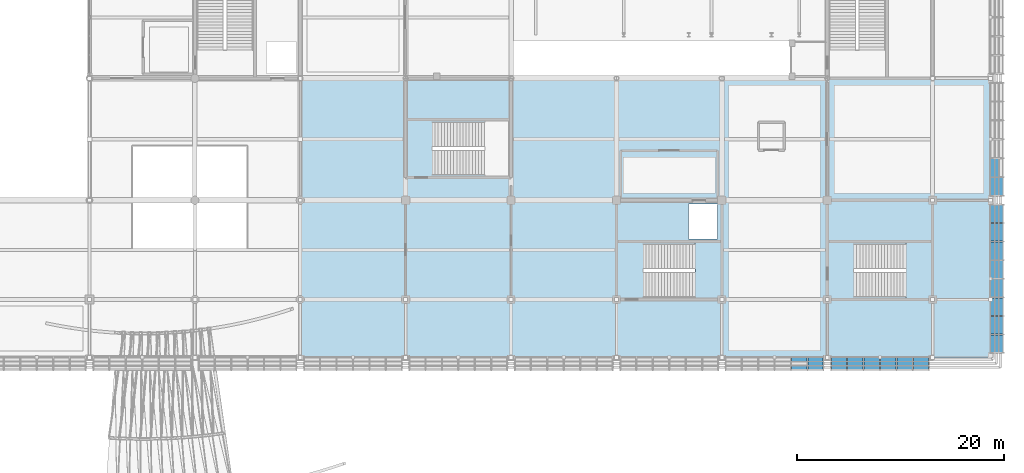
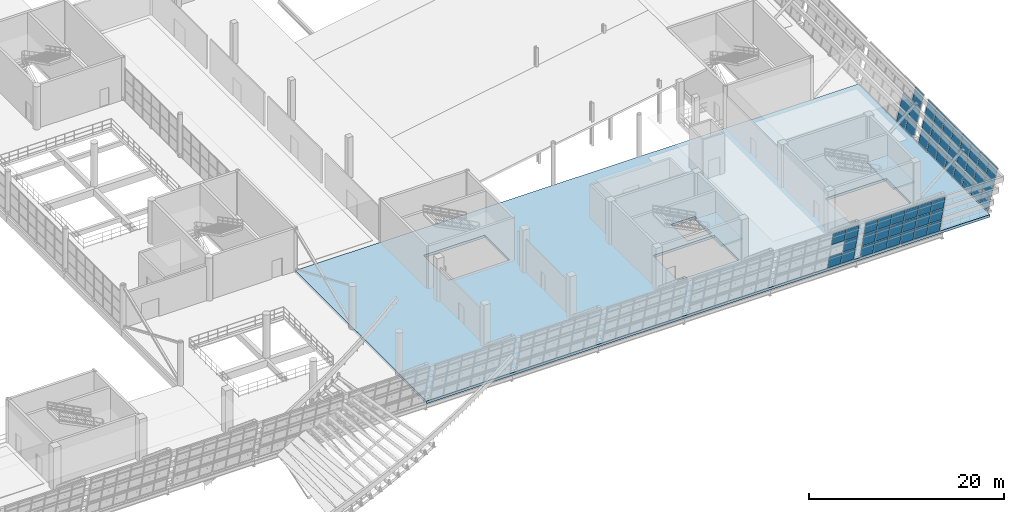
# One storey, part 115 of 175: 52 plates, 3 slabs, 6 elements without a shape of their own.
"""IFC4 building model written with IfcOpenShell, lengths in metres."""

import ifcopenshell
import ifcopenshell.guid

model = None  # the IFC model being written
_history = None  # IfcOwnerHistory: only IFC2X3 demands one
_inside = {}  # id of a spatial element -> (the spatial element, [elements in it])
_under = {}  # id of a project, library or spatial element -> (it, [spatial elements below it])
_declared = {}  # id of a project -> (the project, [libraries it declares])
_typed = {}  # id of a type object -> (the type object, [elements of that type])
_made_of = {}  # id of a material, layer set ... -> (it, [elements and type objects made of it])


def new_model(schema):
    """Start an empty IFC model of exactly this schema.

    Asked for "IFC4X3", IfcOpenShell would pick the latest addendum, in which some entities
    have other attributes; the version numbers below select the first issue.
    IFC2X3 requires an IfcOwnerHistory on every rooted entity: one is made here for all.
    """
    global model, _history
    if schema == "IFC4X3":
        model = ifcopenshell.file(schema_version=(4, 3, 0, 0))
    else:
        model = ifcopenshell.file(schema=schema)
    _inside.clear()
    _under.clear()
    _declared.clear()
    _typed.clear()
    _made_of.clear()
    _history = None
    if model.schema == "IFC2X3":
        org = make("IfcOrganization", Name="unknown")
        user = make(
            "IfcPersonAndOrganization",
            ThePerson=make("IfcPerson", FamilyName="unknown"),
            TheOrganization=org,
        )
        app = make(
            "IfcApplication",
            ApplicationDeveloper=org,
            Version="unknown",
            ApplicationFullName="unknown",
            ApplicationIdentifier="unknown",
        )
        _history = make(
            "IfcOwnerHistory",
            OwningUser=user,
            OwningApplication=app,
            ChangeAction="ADDED",
            CreationDate=0,
        )
    return model


def make(cls, **values):
    """One entity of the class cls with the attributes given. An attribute that is None is left unset."""
    return model.create_entity(
        cls, **{name: value for name, value in values.items() if value is not None}
    )


def rooted(cls, **values):
    """An entity with a GlobalId (a new one), such as an element, a storey or a relation."""
    return make(cls, GlobalId=ifcopenshell.guid.new(), OwnerHistory=_history, **values)


def si_unit(unit_type, name, prefix=None):
    """IfcSIUnit, for example si_unit("LENGTHUNIT", "METRE", prefix="MILLI")."""
    return make("IfcSIUnit", UnitType=unit_type, Prefix=prefix, Name=name)


def assignment(units):
    """IfcUnitAssignment: the units of a project."""
    return None if units is None else make("IfcUnitAssignment", Units=units)


def point(xyz):
    """IfcCartesianPoint."""
    return None if xyz is None else make("IfcCartesianPoint", Coordinates=xyz)


def direction(xyz):
    """IfcDirection."""
    return None if xyz is None else make("IfcDirection", DirectionRatios=xyz)


def frame(location, z_axis=None, x_axis=None):
    """IfcAxis2Placement3D, a coordinate frame: its origin and axes. An axis left out is left unset."""
    return make(
        "IfcAxis2Placement3D",
        Location=point(location),
        Axis=direction(z_axis),
        RefDirection=direction(x_axis),
    )


def origin():
    """The frame at (0, 0, 0) with its axes left unset."""
    return frame((0.0, 0.0, 0.0))


def place(relative_to, where):
    """IfcLocalPlacement: puts the frame where relative to a parent placement (None: the world)."""
    return make(
        "IfcLocalPlacement", PlacementRelTo=relative_to, RelativePlacement=where
    )


def context(
    kind, dimensions, precision=None, world=None, true_north=None, identifier=None
):
    """IfcGeometricRepresentationContext, for example the 3D "Model" context."""
    return make(
        "IfcGeometricRepresentationContext",
        ContextIdentifier=identifier,
        ContextType=kind,
        CoordinateSpaceDimension=dimensions,
        Precision=precision,
        WorldCoordinateSystem=world,
        TrueNorth=true_north,
    )


def subcontext(parent, identifier, kind, view, scale=None):
    """IfcGeometricRepresentationSubContext, for example "Body" below "Model"."""
    return make(
        "IfcGeometricRepresentationSubContext",
        ContextIdentifier=identifier,
        ContextType=kind,
        ParentContext=parent,
        TargetScale=scale,
        TargetView=view,
    )


def project(units=None, contexts=None):
    """IfcProject with its units and contexts."""
    return rooted(
        "IfcProject",
        Name="project",
        RepresentationContexts=contexts,
        UnitsInContext=assignment(units),
    )


def spatial(cls, under=None, at=None, **own):
    """A site, building, storey or space (cls), placed at a placement, below another one or the project."""
    s = rooted(cls, ObjectPlacement=at, **own)
    if under is not None:
        _under.setdefault(under.id(), (under, []))[1].append(s)
    return s


def polyline(points):
    """IfcPolyline through the points."""
    return make("IfcPolyline", Points=[point(p) for p in points])


def outline(outer, holes=None, kind="AREA"):
    """IfcArbitraryClosedProfileDef: a profile drawn as a closed curve; with holes, ...WithVoids."""
    if holes is None:
        return make("IfcArbitraryClosedProfileDef", ProfileType=kind, OuterCurve=outer)
    return make(
        "IfcArbitraryProfileDefWithVoids",
        ProfileType=kind,
        OuterCurve=outer,
        InnerCurves=holes,
    )


def extrude(swept, where, along, depth):
    """IfcExtrudedAreaSolid: the profile swept, set in the frame where, extruded along a direction by depth."""
    return make(
        "IfcExtrudedAreaSolid",
        SweptArea=swept,
        Position=where,
        ExtrudedDirection=direction(along),
        Depth=depth,
    )


def shape(context_of_items, identifier, shape_type, items):
    """IfcShapeRepresentation: the items that make up one representation, for example the "Body"."""
    return make(
        "IfcShapeRepresentation",
        ContextOfItems=context_of_items,
        RepresentationIdentifier=identifier,
        RepresentationType=shape_type,
        Items=items,
    )


def material(Name=None, Category=None):
    """IfcMaterial."""
    return make("IfcMaterial", Name=Name, Category=Category)


def layer(
    of_material, thickness, ventilated=None, Name=None, Category=None, Priority=None
):
    """IfcMaterialLayer: one layer of a wall or slab, of a material (None: an air gap)."""
    return make(
        "IfcMaterialLayer",
        Material=of_material,
        LayerThickness=thickness,
        IsVentilated=ventilated,
        Name=Name,
        Category=Category,
        Priority=Priority,
    )


def layer_set(layers, Name=None):
    """IfcMaterialLayerSet."""
    return make("IfcMaterialLayerSet", MaterialLayers=layers, LayerSetName=Name)


def made_of(thing, what):
    """Note that an element or type object is made of a material, layer set ...; save() writes the relation."""
    if what is not None:
        _made_of.setdefault(what.id(), (what, []))[1].append(thing)
    return thing


def type_object(cls, material=None, **own):
    """A type object (cls), such as IfcWallType, which elements share."""
    return made_of(rooted(cls, **own), material)


def element(
    cls,
    number,
    at=None,
    inside=None,
    cuts=None,
    type_object=None,
    material=None,
    context=None,
    identifier="Body",
    shape_type=None,
    held_by="IfcProductDefinitionShape",
    body=None,
    shapes=None,
    **own,
):
    """One element of the class cls, such as IfcWall. Its Tag is "e" and its number.

    at: its placement. inside: the storey or other place that contains it. cuts: it is an
    opening in that element (IfcRelVoidsElement). A single representation is given by context,
    identifier, shape_type and body (its items); several are given by shapes. held_by: the class
    of the entity that holds the representations. save() writes the other relations.
    """
    e = rooted(cls, Tag="e%d" % number, ObjectPlacement=at, **own)
    if body is not None:
        shapes = [shape(context, identifier, shape_type, body)]
    if shapes is not None:
        e.Representation = make(held_by, Representations=shapes)
    if inside is not None:
        _inside.setdefault(inside.id(), (inside, []))[1].append(e)
    if cuts is not None:
        rooted(
            "IfcRelVoidsElement", RelatingBuildingElement=cuts, RelatedOpeningElement=e
        )
    if type_object is not None:
        _typed.setdefault(type_object.id(), (type_object, []))[1].append(e)
    return made_of(e, material)


def aggregate(whole, parts):
    """IfcRelAggregates: a whole, such as a stair, and the parts it consists of."""
    return rooted("IfcRelAggregates", RelatingObject=whole, RelatedObjects=parts)


def save(model, path):
    """Write the relations noted so far, then the file.

    IfcRelAggregates (storeys below a building ...), IfcRelContainedInSpatialStructure (elements
    in a storey), IfcRelDefinesByType, IfcRelAssociatesMaterial and IfcRelDeclares: one each for
    every whole, place, type object, material and project.
    """
    for whole, parts in _under.values():
        aggregate(whole, parts)
    for where, things in _inside.values():
        rooted(
            "IfcRelContainedInSpatialStructure",
            RelatedElements=things,
            RelatingStructure=where,
        )
    for kind, things in _typed.values():
        rooted("IfcRelDefinesByType", RelatedObjects=things, RelatingType=kind)
    for what, things in _made_of.values():
        rooted("IfcRelAssociatesMaterial", RelatedObjects=things, RelatingMaterial=what)
    for by, libraries in _declared.values():
        rooted("IfcRelDeclares", RelatingContext=by, RelatedDefinitions=libraries)
    model.write(path)


model = new_model("IFC4")

# Units and contexts
model_context = context("Model", 3, precision=1e-05, world=origin(), true_north=direction((0.0, 1.0)))
body_context = subcontext(model_context, "Body", "Model", "MODEL_VIEW")
ifc_project = project(units=[si_unit("LENGTHUNIT", "METRE"), si_unit("AREAUNIT", "SQUARE_METRE"), si_unit("VOLUMEUNIT", "CUBIC_METRE"), si_unit("PLANEANGLEUNIT", "RADIAN"), si_unit("MASSUNIT", "GRAM", prefix="KILO")], contexts=[model_context])

# Site, building, storey
site_placement = place(None, origin())
site = spatial("IfcSite", under=ifc_project, at=site_placement, CompositionType="ELEMENT")
building_placement = place(site_placement, origin())
building = spatial("IfcBuilding", under=site, at=building_placement, Name="Brelvane Convention Centre", CompositionType="ELEMENT")
storey_placement = place(building_placement, frame((0.0, 0.0, 5.39990234375)))
storey = spatial("IfcBuildingStorey", under=building, at=storey_placement, Name="L01", CompositionType="ELEMENT", Elevation=5.39990234375)

# Curtain wall, plates
ifc_material_1 = material(Name="Anodised Aluminium Alloy 6063-T6", Category="aluminium")
curtain_wall_type_1 = type_object("IfcCurtainWallType", Name="Curtain Wall CW-HULL-S", PredefinedType="USERDEFINED", material=ifc_material_1)
curtain_wall_1_placement = place(storey_placement, origin())
curtain_wall_1 = element("IfcCurtainWall", 1, at=curtain_wall_1_placement, inside=storey, type_object=curtain_wall_type_1, Name="Curtain Wall CW-HULL-S L01-HULL-S-L01-21", ObjectType="UNITISED", PredefinedType="USERDEFINED")
ifc_material_2 = material(Name="Double Glazed Low-E Laminated Unit")
ifc_layer_1 = layer(ifc_material_2, 0.031982421875)
ifc_layer_set_1 = layer_set([ifc_layer_1], Name="Double Glazed Low-E Laminated Unit")
plate_type_1 = type_object("IfcPlateType", Name="Curtain Panel CW-PG1", PredefinedType="CURTAIN_PANEL", material=ifc_layer_set_1)
plate_1_placement = place(storey_placement, frame((210.7333984375, 12.785400390625, 3.473388671875), z_axis=(0.0, 0.973577021422, 0.228358891569), x_axis=(1.0, 0.0, 0.0)))
plate_1 = element("IfcPlate", 2, at=plate_1_placement, type_object=plate_type_1, Name="CW-HULL-S panel 5.3", PredefinedType="CURTAIN_PANEL", context=body_context, shape_type="SweptSolid", body=[
    extrude(outline(polyline([(0.0, 0.0), (1.51318359375, 0.0), (1.51318359375, -1.640013735294975), (0.0, -1.640013735294975), (0.0, 0.0)])), origin(), (0.0, 0.0, -1.0), 0.031982421875),
])
plate_2_placement = place(storey_placement, frame((212.32666015625, 13.18798828125, 1.7568359375), z_axis=(0.0, 0.973584535906, 0.228326852222), x_axis=(1.0, 0.0, 0.0)))
plate_2 = element("IfcPlate", 3, at=plate_2_placement, type_object=plate_type_1, Name="CW-HULL-S panel 6.2", PredefinedType="CURTAIN_PANEL", context=body_context, shape_type="SweptSolid", body=[
    extrude(outline(polyline([(0.0, 0.0), (1.473388671875, 0.0), (1.473388671875, -1.680875721647406), (0.0, -1.680875721647406), (0.0, 0.0)])), origin(), (0.0, 0.0, -1.0), 0.031982421875),
])
plate_3_placement = place(storey_placement, frame((212.32666015625, 12.785400390625, 3.473388671875), z_axis=(0.0, 0.973577021422, 0.228358891569), x_axis=(1.0, 0.0, 0.0)))
plate_3 = element("IfcPlate", 4, at=plate_3_placement, type_object=plate_type_1, Name="CW-HULL-S panel 6.3", PredefinedType="CURTAIN_PANEL", context=body_context, shape_type="SweptSolid", body=[
    extrude(outline(polyline([(0.0, 0.0), (1.473388671875, 0.0), (1.473388671875, -1.640013735294975), (0.0, -1.640013735294975), (0.0, 0.0)])), origin(), (0.0, 0.0, -1.0), 0.031982421875),
])

curtain_wall_2_placement = place(storey_placement, origin())
curtain_wall_2 = element("IfcCurtainWall", 5, at=curtain_wall_2_placement, inside=storey, type_object=curtain_wall_type_1, Name="Curtain Wall CW-HULL-S L01-HULL-S-L01-22", ObjectType="UNITISED", PredefinedType="USERDEFINED")
plate_4_placement = place(storey_placement, frame((214.60009765625, 13.18798828125, 1.7568359375), z_axis=(0.0, 0.973584535906, 0.228326852222), x_axis=(1.0, 0.0, 0.0)))
plate_4 = element("IfcPlate", 6, at=plate_4_placement, type_object=plate_type_1, Name="CW-HULL-S panel 1.2", PredefinedType="CURTAIN_PANEL", context=body_context, shape_type="SweptSolid", body=[
    extrude(outline(polyline([(0.0, 0.0), (1.47314453125, 0.0), (1.47314453125, -1.680875721647406), (0.0, -1.680875721647406), (0.0, 0.0)])), origin(), (0.0, 0.0, -1.0), 0.031982421875),
])
plate_5_placement = place(storey_placement, frame((214.60009765625, 12.785400390625, 3.473388671875), z_axis=(0.0, 0.973577021422, 0.228358891569), x_axis=(1.0, 0.0, 0.0)))
plate_5 = element("IfcPlate", 7, at=plate_5_placement, type_object=plate_type_1, Name="CW-HULL-S panel 1.3", PredefinedType="CURTAIN_PANEL", context=body_context, shape_type="SweptSolid", body=[
    extrude(outline(polyline([(0.0, 0.0), (1.47314453125, 0.0), (1.47314453125, -1.6400137352949753), (0.0, -1.6400137352949753), (0.0, 0.0)])), origin(), (0.0, 0.0, -1.0), 0.031982421875),
])
plate_6_placement = place(storey_placement, frame((216.1533203125, 13.18798828125, 1.7568359375), z_axis=(0.0, 0.973584535906, 0.228326852222), x_axis=(1.0, 0.0, 0.0)))
plate_6 = element("IfcPlate", 8, at=plate_6_placement, type_object=plate_type_1, Name="CW-HULL-S panel 2.2", PredefinedType="CURTAIN_PANEL", context=body_context, shape_type="SweptSolid", body=[
    extrude(outline(polyline([(0.0, 0.0), (1.513427734375, 0.0), (1.513427734375, -1.680875721647406), (0.0, -1.680875721647406), (0.0, 0.0)])), origin(), (0.0, 0.0, -1.0), 0.031982421875),
])
plate_7_placement = place(storey_placement, frame((216.1533203125, 12.785400390625, 3.473388671875), z_axis=(0.0, 0.973577021422, 0.228358891569), x_axis=(1.0, 0.0, 0.0)))
plate_7 = element("IfcPlate", 9, at=plate_7_placement, type_object=plate_type_1, Name="CW-HULL-S panel 2.3", PredefinedType="CURTAIN_PANEL", context=body_context, shape_type="SweptSolid", body=[
    extrude(outline(polyline([(0.0, 0.0), (1.513427734375, 0.0), (1.513427734375, -1.6400137352949753), (0.0, -1.6400137352949753), (0.0, 0.0)])), origin(), (0.0, 0.0, -1.0), 0.031982421875),
])
plate_8_placement = place(storey_placement, frame((217.74658203125, 13.18798828125, 1.7568359375), z_axis=(0.0, 0.973584535906, 0.228326852222), x_axis=(1.0, 0.0, 0.0)))
plate_8 = element("IfcPlate", 10, at=plate_8_placement, type_object=plate_type_1, Name="CW-HULL-S panel 3.2", PredefinedType="CURTAIN_PANEL", context=body_context, shape_type="SweptSolid", body=[
    extrude(outline(polyline([(0.0, 0.0), (1.513427734375, 0.0), (1.513427734375, -1.680875721647406), (0.0, -1.680875721647406), (0.0, 0.0)])), origin(), (0.0, 0.0, -1.0), 0.031982421875),
])
plate_9_placement = place(storey_placement, frame((217.74658203125, 12.785400390625, 3.473388671875), z_axis=(0.0, 0.973577021422, 0.228358891569), x_axis=(1.0, 0.0, 0.0)))
plate_9 = element("IfcPlate", 11, at=plate_9_placement, type_object=plate_type_1, Name="CW-HULL-S panel 3.3", PredefinedType="CURTAIN_PANEL", context=body_context, shape_type="SweptSolid", body=[
    extrude(outline(polyline([(0.0, 0.0), (1.513427734375, 0.0), (1.513427734375, -1.6400137352949753), (0.0, -1.6400137352949753), (0.0, 0.0)])), origin(), (0.0, 0.0, -1.0), 0.031982421875),
])
plate_10_placement = place(storey_placement, frame((219.340087890625, 13.18798828125, 1.7568359375), z_axis=(0.0, 0.973584535906, 0.228326852222), x_axis=(1.0, 0.0, 0.0)))
plate_10 = element("IfcPlate", 12, at=plate_10_placement, type_object=plate_type_1, Name="CW-HULL-S panel 4.2", PredefinedType="CURTAIN_PANEL", context=body_context, shape_type="SweptSolid", body=[
    extrude(outline(polyline([(0.0, 0.0), (1.51318359375, 0.0), (1.51318359375, -1.680875721647406), (0.0, -1.680875721647406), (0.0, 0.0)])), origin(), (0.0, 0.0, -1.0), 0.031982421875),
])
plate_11_placement = place(storey_placement, frame((219.340087890625, 12.785400390625, 3.473388671875), z_axis=(0.0, 0.973577021422, 0.228358891569), x_axis=(1.0, 0.0, 0.0)))
plate_11 = element("IfcPlate", 13, at=plate_11_placement, type_object=plate_type_1, Name="CW-HULL-S panel 4.3", PredefinedType="CURTAIN_PANEL", context=body_context, shape_type="SweptSolid", body=[
    extrude(outline(polyline([(0.0, 0.0), (1.51318359375, 0.0), (1.51318359375, -1.640013735294975), (0.0, -1.640013735294975), (0.0, 0.0)])), origin(), (0.0, 0.0, -1.0), 0.031982421875),
])
plate_12_placement = place(storey_placement, frame((220.933349609375, 13.18798828125, 1.7568359375), z_axis=(0.0, 0.973584535906, 0.228326852222), x_axis=(1.0, 0.0, 0.0)))
plate_12 = element("IfcPlate", 14, at=plate_12_placement, type_object=plate_type_1, Name="CW-HULL-S panel 5.2", PredefinedType="CURTAIN_PANEL", context=body_context, shape_type="SweptSolid", body=[
    extrude(outline(polyline([(0.0, 0.0), (1.513427734375, 0.0), (1.513427734375, -1.680875721647406), (0.0, -1.680875721647406), (0.0, 0.0)])), origin(), (0.0, 0.0, -1.0), 0.031982421875),
])
plate_13_placement = place(storey_placement, frame((220.933349609375, 12.785400390625, 3.473388671875), z_axis=(0.0, 0.973577021422, 0.228358891569), x_axis=(1.0, 0.0, 0.0)))
plate_13 = element("IfcPlate", 15, at=plate_13_placement, type_object=plate_type_1, Name="CW-HULL-S panel 5.3", PredefinedType="CURTAIN_PANEL", context=body_context, shape_type="SweptSolid", body=[
    extrude(outline(polyline([(0.0, 0.0), (1.513427734375, 0.0), (1.513427734375, -1.6400137352949753), (0.0, -1.6400137352949753), (0.0, 0.0)])), origin(), (0.0, 0.0, -1.0), 0.031982421875),
])
plate_14_placement = place(storey_placement, frame((222.526611328125, 13.18798828125, 1.7568359375), z_axis=(0.0, 0.973584535906, 0.228326852222), x_axis=(1.0, 0.0, 0.0)))
plate_14 = element("IfcPlate", 16, at=plate_14_placement, type_object=plate_type_1, Name="CW-HULL-S panel 6.2", PredefinedType="CURTAIN_PANEL", context=body_context, shape_type="SweptSolid", body=[
    extrude(outline(polyline([(0.0, 0.0), (1.473388671875, 0.0), (1.473388671875, -1.680875721647406), (0.0, -1.680875721647406), (0.0, 0.0)])), origin(), (0.0, 0.0, -1.0), 0.031982421875),
])
plate_15_placement = place(storey_placement, frame((222.526611328125, 12.785400390625, 3.473388671875), z_axis=(0.0, 0.973577021422, 0.228358891569), x_axis=(1.0, 0.0, 0.0)))
plate_15 = element("IfcPlate", 17, at=plate_15_placement, type_object=plate_type_1, Name="CW-HULL-S panel 6.3", PredefinedType="CURTAIN_PANEL", context=body_context, shape_type="SweptSolid", body=[
    extrude(outline(polyline([(0.0, 0.0), (1.473388671875, 0.0), (1.473388671875, -1.640013735294975), (0.0, -1.640013735294975), (0.0, 0.0)])), origin(), (0.0, 0.0, -1.0), 0.031982421875),
])

ifc_material_3 = material(Name="Anodised Aluminium Alloy 6063-T6", Category="aluminium")
curtain_wall_type_2 = type_object("IfcCurtainWallType", Name="Curtain Wall CW-PLEN-E", PredefinedType="USERDEFINED", material=ifc_material_3)
curtain_wall_3_placement = place(storey_placement, origin())
curtain_wall_3 = element("IfcCurtainWall", 18, at=curtain_wall_3_placement, inside=storey, type_object=curtain_wall_type_2, Name="Curtain Wall CW-PLEN-E L01-HULL-E-L01-1", ObjectType="UNITISED", PredefinedType="USERDEFINED")
plate_16_placement = place(storey_placement, frame((230.410888671875, 14.074951171875, 1.751708984375), z_axis=(-0.973579720105, 0.0, 0.228347385798), x_axis=(0.0, 1.0, 0.0)))
plate_16 = element("IfcPlate", 19, at=plate_16_placement, type_object=plate_type_1, Name="CW-PLEN-E panel 1.2", PredefinedType="CURTAIN_PANEL", context=body_context, shape_type="SweptSolid", body=[
    extrude(outline(polyline([(0.0, 0.0), (1.6875, 0.0), (1.6875, -1.6914162051852764), (0.0, -1.6914162051852764), (0.0, 0.0)])), origin(), (0.0, 0.0, -1.0), 0.031982421875),
])
plate_17_placement = place(storey_placement, frame((230.8134765625, 14.074951171875, 3.468505859375), z_axis=(-0.973587118463, 0.0, 0.22831583993), x_axis=(0.0, 1.0, 0.0)))
plate_17 = element("IfcPlate", 20, at=plate_17_placement, type_object=plate_type_1, Name="CW-PLEN-E panel 1.3", PredefinedType="CURTAIN_PANEL", context=body_context, shape_type="SweptSolid", body=[
    extrude(outline(polyline([(0.0, 0.0), (1.6875, 0.0), (1.6875, -1.6552933323207533), (0.0, -1.6552933323207533), (0.0, 0.0)])), origin(), (0.0, 0.0, -1.0), 0.031982421875),
])
plate_18_placement = place(storey_placement, frame((230.410888671875, 15.83740234375, 1.751708984375), z_axis=(-0.973579720105, 0.0, 0.228347385798), x_axis=(0.0, 1.0, 0.0)))
plate_18 = element("IfcPlate", 21, at=plate_18_placement, type_object=plate_type_1, Name="CW-PLEN-E panel 2.2", PredefinedType="CURTAIN_PANEL", context=body_context, shape_type="SweptSolid", body=[
    extrude(outline(polyline([(0.0, 0.0), (1.72509765625, 0.0), (1.72509765625, -1.6914162051852761), (0.0, -1.6914162051852761), (0.0, 0.0)])), origin(), (0.0, 0.0, -1.0), 0.031982421875),
])
plate_19_placement = place(storey_placement, frame((230.8134765625, 15.83740234375, 3.468505859375), z_axis=(-0.973587118463, 0.0, 0.22831583993), x_axis=(0.0, 1.0, 0.0)))
plate_19 = element("IfcPlate", 22, at=plate_19_placement, type_object=plate_type_1, Name="CW-PLEN-E panel 2.3", PredefinedType="CURTAIN_PANEL", context=body_context, shape_type="SweptSolid", body=[
    extrude(outline(polyline([(0.0, 0.0), (1.72509765625, 0.0), (1.72509765625, -1.6552933323207533), (0.0, -1.6552933323207533), (0.0, 0.0)])), origin(), (0.0, 0.0, -1.0), 0.031982421875),
])
plate_20_placement = place(storey_placement, frame((230.410888671875, 17.637451171875, 1.751708984375), z_axis=(-0.973579720105, 0.0, 0.228347385798), x_axis=(0.0, 1.0, 0.0)))
plate_20 = element("IfcPlate", 23, at=plate_20_placement, type_object=plate_type_1, Name="CW-PLEN-E panel 3.2", PredefinedType="CURTAIN_PANEL", context=body_context, shape_type="SweptSolid", body=[
    extrude(outline(polyline([(0.0, 0.0), (1.72509765625, 0.0), (1.72509765625, -1.6914162051852761), (0.0, -1.6914162051852761), (0.0, 0.0)])), origin(), (0.0, 0.0, -1.0), 0.031982421875),
])
plate_21_placement = place(storey_placement, frame((230.8134765625, 17.637451171875, 3.468505859375), z_axis=(-0.973587118463, 0.0, 0.22831583993), x_axis=(0.0, 1.0, 0.0)))
plate_21 = element("IfcPlate", 24, at=plate_21_placement, type_object=plate_type_1, Name="CW-PLEN-E panel 3.3", PredefinedType="CURTAIN_PANEL", context=body_context, shape_type="SweptSolid", body=[
    extrude(outline(polyline([(0.0, 0.0), (1.72509765625, 0.0), (1.72509765625, -1.6552933323207533), (0.0, -1.6552933323207533), (0.0, 0.0)])), origin(), (0.0, 0.0, -1.0), 0.031982421875),
])
plate_22_placement = place(storey_placement, frame((230.410888671875, 19.4375, 1.751708984375), z_axis=(-0.973579720105, 0.0, 0.228347385798), x_axis=(0.0, 1.0, 0.0)))
plate_22 = element("IfcPlate", 25, at=plate_22_placement, type_object=plate_type_1, Name="CW-PLEN-E panel 4.2", PredefinedType="CURTAIN_PANEL", context=body_context, shape_type="SweptSolid", body=[
    extrude(outline(polyline([(0.0, 0.0), (1.72509765625, 0.0), (1.72509765625, -1.6914162051852761), (0.0, -1.6914162051852761), (0.0, 0.0)])), origin(), (0.0, 0.0, -1.0), 0.031982421875),
])
plate_23_placement = place(storey_placement, frame((230.8134765625, 19.4375, 3.468505859375), z_axis=(-0.973587118463, 0.0, 0.22831583993), x_axis=(0.0, 1.0, 0.0)))
plate_23 = element("IfcPlate", 26, at=plate_23_placement, type_object=plate_type_1, Name="CW-PLEN-E panel 4.3", PredefinedType="CURTAIN_PANEL", context=body_context, shape_type="SweptSolid", body=[
    extrude(outline(polyline([(0.0, 0.0), (1.72509765625, 0.0), (1.72509765625, -1.6552933323207533), (0.0, -1.6552933323207533), (0.0, 0.0)])), origin(), (0.0, 0.0, -1.0), 0.031982421875),
])
plate_24_placement = place(storey_placement, frame((230.410888671875, 21.237548828125, 1.751708984375), z_axis=(-0.973579720105, 0.0, 0.228347385798), x_axis=(0.0, 1.0, 0.0)))
plate_24 = element("IfcPlate", 27, at=plate_24_placement, type_object=plate_type_1, Name="CW-PLEN-E panel 5.2", PredefinedType="CURTAIN_PANEL", context=body_context, shape_type="SweptSolid", body=[
    extrude(outline(polyline([(0.0, 0.0), (1.724853515625, 0.0), (1.724853515625, -1.6914162051852761), (0.0, -1.6914162051852761), (0.0, 0.0)])), origin(), (0.0, 0.0, -1.0), 0.031982421875),
])
plate_25_placement = place(storey_placement, frame((230.8134765625, 21.237548828125, 3.468505859375), z_axis=(-0.973587118463, 0.0, 0.22831583993), x_axis=(0.0, 1.0, 0.0)))
plate_25 = element("IfcPlate", 28, at=plate_25_placement, type_object=plate_type_1, Name="CW-PLEN-E panel 5.3", PredefinedType="CURTAIN_PANEL", context=body_context, shape_type="SweptSolid", body=[
    extrude(outline(polyline([(0.0, 0.0), (1.724853515625, 0.0), (1.724853515625, -1.6552933323207533), (0.0, -1.6552933323207533), (0.0, 0.0)])), origin(), (0.0, 0.0, -1.0), 0.031982421875),
])
plate_26_placement = place(storey_placement, frame((230.410888671875, 23.03759765625, 1.751708984375), z_axis=(-0.973579720105, 0.0, 0.228347385798), x_axis=(0.0, 1.0, 0.0)))
plate_26 = element("IfcPlate", 29, at=plate_26_placement, type_object=plate_type_1, Name="CW-PLEN-E panel 6.2", PredefinedType="CURTAIN_PANEL", context=body_context, shape_type="SweptSolid", body=[
    extrude(outline(polyline([(0.0, 0.0), (1.724853515625, 0.0), (1.724853515625, -1.6914162051852761), (0.0, -1.6914162051852761), (0.0, 0.0)])), origin(), (0.0, 0.0, -1.0), 0.031982421875),
])
plate_27_placement = place(storey_placement, frame((230.8134765625, 23.03759765625, 3.468505859375), z_axis=(-0.973587118463, 0.0, 0.22831583993), x_axis=(0.0, 1.0, 0.0)))
plate_27 = element("IfcPlate", 30, at=plate_27_placement, type_object=plate_type_1, Name="CW-PLEN-E panel 6.3", PredefinedType="CURTAIN_PANEL", context=body_context, shape_type="SweptSolid", body=[
    extrude(outline(polyline([(0.0, 0.0), (1.724853515625, 0.0), (1.724853515625, -1.6552933323207533), (0.0, -1.6552933323207533), (0.0, 0.0)])), origin(), (0.0, 0.0, -1.0), 0.031982421875),
])
plate_28_placement = place(storey_placement, frame((230.410888671875, 24.83740234375, 1.751708984375), z_axis=(-0.973579720105, 0.0, 0.228347385798), x_axis=(0.0, 1.0, 0.0)))
plate_28 = element("IfcPlate", 31, at=plate_28_placement, type_object=plate_type_1, Name="CW-PLEN-E panel 7.2", PredefinedType="CURTAIN_PANEL", context=body_context, shape_type="SweptSolid", body=[
    extrude(outline(polyline([(0.0, 0.0), (1.72509765625, 0.0), (1.72509765625, -1.6914162051852761), (0.0, -1.6914162051852761), (0.0, 0.0)])), origin(), (0.0, 0.0, -1.0), 0.031982421875),
])
plate_29_placement = place(storey_placement, frame((230.8134765625, 24.83740234375, 3.468505859375), z_axis=(-0.973587118463, 0.0, 0.22831583993), x_axis=(0.0, 1.0, 0.0)))
plate_29 = element("IfcPlate", 32, at=plate_29_placement, type_object=plate_type_1, Name="CW-PLEN-E panel 7.3", PredefinedType="CURTAIN_PANEL", context=body_context, shape_type="SweptSolid", body=[
    extrude(outline(polyline([(0.0, 0.0), (1.72509765625, 0.0), (1.72509765625, -1.6552933323207533), (0.0, -1.6552933323207533), (0.0, 0.0)])), origin(), (0.0, 0.0, -1.0), 0.031982421875),
])
plate_30_placement = place(storey_placement, frame((230.410888671875, 26.637451171875, 1.751708984375), z_axis=(-0.973579720105, 0.0, 0.228347385798), x_axis=(0.0, 1.0, 0.0)))
plate_30 = element("IfcPlate", 33, at=plate_30_placement, type_object=plate_type_1, Name="CW-PLEN-E panel 8.2", PredefinedType="CURTAIN_PANEL", context=body_context, shape_type="SweptSolid", body=[
    extrude(outline(polyline([(0.0, 0.0), (1.6875, 0.0), (1.6875, -1.6914162051852764), (0.0, -1.6914162051852764), (0.0, 0.0)])), origin(), (0.0, 0.0, -1.0), 0.031982421875),
])
plate_31_placement = place(storey_placement, frame((230.8134765625, 26.637451171875, 3.468505859375), z_axis=(-0.973587118463, 0.0, 0.22831583993), x_axis=(0.0, 1.0, 0.0)))
plate_31 = element("IfcPlate", 34, at=plate_31_placement, type_object=plate_type_1, Name="CW-PLEN-E panel 8.3", PredefinedType="CURTAIN_PANEL", context=body_context, shape_type="SweptSolid", body=[
    extrude(outline(polyline([(0.0, 0.0), (1.6875, 0.0), (1.6875, -1.6552933323207533), (0.0, -1.6552933323207533), (0.0, 0.0)])), origin(), (0.0, 0.0, -1.0), 0.031982421875),
])

curtain_wall_4_placement = place(storey_placement, origin())
curtain_wall_4 = element("IfcCurtainWall", 35, at=curtain_wall_4_placement, inside=storey, type_object=curtain_wall_type_2, Name="Curtain Wall CW-PLEN-E L01-HULL-E-L01-2", ObjectType="UNITISED", PredefinedType="USERDEFINED")
plate_32_placement = place(storey_placement, frame((230.410888671875, 29.27490234375, 1.751708984375), z_axis=(-0.973579720105, 0.0, 0.228347385798), x_axis=(0.0, 1.0, 0.0)))
plate_32 = element("IfcPlate", 36, at=plate_32_placement, type_object=plate_type_1, Name="CW-PLEN-E panel 1.2", PredefinedType="CURTAIN_PANEL", context=body_context, shape_type="SweptSolid", body=[
    extrude(outline(polyline([(0.0, 0.0), (1.720947265625, 0.0), (1.720947265625, -1.6914162051852764), (0.0, -1.6914162051852764), (0.0, 0.0)])), origin(), (0.0, 0.0, -1.0), 0.031982421875),
])
plate_33_placement = place(storey_placement, frame((230.8134765625, 29.27490234375, 3.468505859375), z_axis=(-0.973587118463, 0.0, 0.22831583993), x_axis=(0.0, 1.0, 0.0)))
plate_33 = element("IfcPlate", 37, at=plate_33_placement, type_object=plate_type_1, Name="CW-PLEN-E panel 1.3", PredefinedType="CURTAIN_PANEL", context=body_context, shape_type="SweptSolid", body=[
    extrude(outline(polyline([(0.0, 0.0), (1.720947265625, 0.0), (1.720947265625, -1.6552933323207533), (0.0, -1.6552933323207533), (0.0, 0.0)])), origin(), (0.0, 0.0, -1.0), 0.031982421875),
])
plate_34_placement = place(storey_placement, frame((230.410888671875, 31.07080078125, 1.751708984375), z_axis=(-0.973579720105, 0.0, 0.228347385798), x_axis=(0.0, 1.0, 0.0)))
plate_34 = element("IfcPlate", 38, at=plate_34_placement, type_object=plate_type_1, Name="CW-PLEN-E panel 2.2", PredefinedType="CURTAIN_PANEL", context=body_context, shape_type="SweptSolid", body=[
    extrude(outline(polyline([(0.0, 0.0), (1.75830078125, 0.0), (1.75830078125, -1.6914162051852764), (0.0, -1.6914162051852764), (0.0, 0.0)])), origin(), (0.0, 0.0, -1.0), 0.031982421875),
])

# Plate
ifc_material_4 = material(Name="Patinated Copper-Bronze Alloy C22000")
ifc_layer_2 = layer(ifc_material_4, 0.048095703125)
ifc_layer_set_2 = layer_set([ifc_layer_2], Name="Patinated Copper-Bronze Alloy C22000")
plate_type_2 = type_object("IfcPlateType", Name="Curtain Panel CW-PS1", PredefinedType="CURTAIN_PANEL", material=ifc_layer_set_2)
plate_35_placement = place(storey_placement, frame((210.7333984375, 13.581298828125, 0.080078125), z_axis=(0.0, 0.973577021422, 0.228358891569), x_axis=(1.0, 0.0, 0.0)))
plate_35 = element("IfcPlate", 39, at=plate_35_placement, type_object=plate_type_2, Name="CW-HULL-S panel 5.1", PredefinedType="CURTAIN_PANEL", context=body_context, shape_type="SweptSolid", body=[
    extrude(outline(polyline([(0.0, 0.0), (1.51318359375, 0.0), (1.51318359375, -1.640013735294975), (0.0, -1.640013735294975), (0.0, 0.0)])), origin(), (0.0, 0.0, -1.0), 0.031982421875),
])

plate_36_placement = place(storey_placement, frame((212.32666015625, 13.581298828125, 0.080078125), z_axis=(0.0, 0.973577021422, 0.228358891569), x_axis=(1.0, 0.0, 0.0)))
plate_36 = element("IfcPlate", 40, at=plate_36_placement, type_object=plate_type_2, Name="CW-HULL-S panel 6.1", PredefinedType="CURTAIN_PANEL", context=body_context, shape_type="SweptSolid", body=[
    extrude(outline(polyline([(0.0, 0.0), (1.473388671875, 0.0), (1.473388671875, -1.640013735294975), (0.0, -1.640013735294975), (0.0, 0.0)])), origin(), (0.0, 0.0, -1.0), 0.031982421875),
])

aggregate(curtain_wall_1, [plate_35, plate_1, plate_36, plate_2, plate_3])

plate_37_placement = place(storey_placement, frame((214.60009765625, 13.581298828125, 0.080078125), z_axis=(0.0, 0.973577021422, 0.228358891569), x_axis=(1.0, 0.0, 0.0)))
plate_37 = element("IfcPlate", 41, at=plate_37_placement, type_object=plate_type_2, Name="CW-HULL-S panel 1.1", PredefinedType="CURTAIN_PANEL", context=body_context, shape_type="SweptSolid", body=[
    extrude(outline(polyline([(0.0, 0.0), (1.47314453125, 0.0), (1.47314453125, -1.6400137352949753), (0.0, -1.6400137352949753), (0.0, 0.0)])), origin(), (0.0, 0.0, -1.0), 0.031982421875),
])

plate_38_placement = place(storey_placement, frame((216.1533203125, 13.581298828125, 0.080078125), z_axis=(0.0, 0.973577021422, 0.228358891569), x_axis=(1.0, 0.0, 0.0)))
plate_38 = element("IfcPlate", 42, at=plate_38_placement, type_object=plate_type_2, Name="CW-HULL-S panel 2.1", PredefinedType="CURTAIN_PANEL", context=body_context, shape_type="SweptSolid", body=[
    extrude(outline(polyline([(0.0, 0.0), (1.513427734375, 0.0), (1.513427734375, -1.6400137352949753), (0.0, -1.6400137352949753), (0.0, 0.0)])), origin(), (0.0, 0.0, -1.0), 0.031982421875),
])

plate_39_placement = place(storey_placement, frame((217.74658203125, 13.581298828125, 0.080078125), z_axis=(0.0, 0.973577021422, 0.228358891569), x_axis=(1.0, 0.0, 0.0)))
plate_39 = element("IfcPlate", 43, at=plate_39_placement, type_object=plate_type_2, Name="CW-HULL-S panel 3.1", PredefinedType="CURTAIN_PANEL", context=body_context, shape_type="SweptSolid", body=[
    extrude(outline(polyline([(0.0, 0.0), (1.513427734375, 0.0), (1.513427734375, -1.6400137352949753), (0.0, -1.6400137352949753), (0.0, 0.0)])), origin(), (0.0, 0.0, -1.0), 0.031982421875),
])

plate_40_placement = place(storey_placement, frame((219.340087890625, 13.581298828125, 0.080078125), z_axis=(0.0, 0.973577021422, 0.228358891569), x_axis=(1.0, 0.0, 0.0)))
plate_40 = element("IfcPlate", 44, at=plate_40_placement, type_object=plate_type_2, Name="CW-HULL-S panel 4.1", PredefinedType="CURTAIN_PANEL", context=body_context, shape_type="SweptSolid", body=[
    extrude(outline(polyline([(0.0, 0.0), (1.51318359375, 0.0), (1.51318359375, -1.640013735294975), (0.0, -1.640013735294975), (0.0, 0.0)])), origin(), (0.0, 0.0, -1.0), 0.031982421875),
])

plate_41_placement = place(storey_placement, frame((220.933349609375, 13.581298828125, 0.080078125), z_axis=(0.0, 0.973577021422, 0.228358891569), x_axis=(1.0, 0.0, 0.0)))
plate_41 = element("IfcPlate", 45, at=plate_41_placement, type_object=plate_type_2, Name="CW-HULL-S panel 5.1", PredefinedType="CURTAIN_PANEL", context=body_context, shape_type="SweptSolid", body=[
    extrude(outline(polyline([(0.0, 0.0), (1.513427734375, 0.0), (1.513427734375, -1.6400137352949753), (0.0, -1.6400137352949753), (0.0, 0.0)])), origin(), (0.0, 0.0, -1.0), 0.031982421875),
])

plate_42_placement = place(storey_placement, frame((222.526611328125, 13.581298828125, 0.080078125), z_axis=(0.0, 0.973577021422, 0.228358891569), x_axis=(1.0, 0.0, 0.0)))
plate_42 = element("IfcPlate", 46, at=plate_42_placement, type_object=plate_type_2, Name="CW-HULL-S panel 6.1", PredefinedType="CURTAIN_PANEL", context=body_context, shape_type="SweptSolid", body=[
    extrude(outline(polyline([(0.0, 0.0), (1.473388671875, 0.0), (1.473388671875, -1.640013735294975), (0.0, -1.640013735294975), (0.0, 0.0)])), origin(), (0.0, 0.0, -1.0), 0.031982421875),
])

aggregate(curtain_wall_2, [plate_37, plate_4, plate_5, plate_38, plate_6, plate_7, plate_39, plate_8, plate_9, plate_40, plate_10, plate_11, plate_41, plate_12, plate_13, plate_42, plate_14, plate_15])

plate_43_placement = place(storey_placement, frame((230.016357421875, 14.074951171875, 0.070068359375), z_axis=(-0.973562020395, 0.0, 0.228422836957), x_axis=(0.0, 1.0, 0.0)))
plate_43 = element("IfcPlate", 47, at=plate_43_placement, type_object=plate_type_2, Name="CW-PLEN-E panel 1.1", PredefinedType="CURTAIN_PANEL", context=body_context, shape_type="SweptSolid", body=[
    extrude(outline(polyline([(0.0, 0.0), (1.6875, 0.0), (1.6875, -1.6555867756585223), (0.0, -1.6555867756585223), (0.0, 0.0)])), origin(), (0.0, 0.0, -1.0), 0.031982421875),
])

plate_44_placement = place(storey_placement, frame((230.016357421875, 15.83740234375, 0.070068359375), z_axis=(-0.973562020395, 0.0, 0.228422836957), x_axis=(0.0, 1.0, 0.0)))
plate_44 = element("IfcPlate", 48, at=plate_44_placement, type_object=plate_type_2, Name="CW-PLEN-E panel 2.1", PredefinedType="CURTAIN_PANEL", context=body_context, shape_type="SweptSolid", body=[
    extrude(outline(polyline([(0.0, 0.0), (1.72509765625, 0.0), (1.72509765625, -1.6555867756585223), (0.0, -1.6555867756585223), (0.0, 0.0)])), origin(), (0.0, 0.0, -1.0), 0.031982421875),
])

plate_45_placement = place(storey_placement, frame((230.016357421875, 17.637451171875, 0.070068359375), z_axis=(-0.973562020395, 0.0, 0.228422836957), x_axis=(0.0, 1.0, 0.0)))
plate_45 = element("IfcPlate", 49, at=plate_45_placement, type_object=plate_type_2, Name="CW-PLEN-E panel 3.1", PredefinedType="CURTAIN_PANEL", context=body_context, shape_type="SweptSolid", body=[
    extrude(outline(polyline([(0.0, 0.0), (1.72509765625, 0.0), (1.72509765625, -1.6555867756585223), (0.0, -1.6555867756585223), (0.0, 0.0)])), origin(), (0.0, 0.0, -1.0), 0.031982421875),
])

plate_46_placement = place(storey_placement, frame((230.016357421875, 19.4375, 0.070068359375), z_axis=(-0.973562020395, 0.0, 0.228422836957), x_axis=(0.0, 1.0, 0.0)))
plate_46 = element("IfcPlate", 50, at=plate_46_placement, type_object=plate_type_2, Name="CW-PLEN-E panel 4.1", PredefinedType="CURTAIN_PANEL", context=body_context, shape_type="SweptSolid", body=[
    extrude(outline(polyline([(0.0, 0.0), (1.72509765625, 0.0), (1.72509765625, -1.6555867756585223), (0.0, -1.6555867756585223), (0.0, 0.0)])), origin(), (0.0, 0.0, -1.0), 0.031982421875),
])

plate_47_placement = place(storey_placement, frame((230.016357421875, 21.237548828125, 0.070068359375), z_axis=(-0.973562020395, 0.0, 0.228422836957), x_axis=(0.0, 1.0, 0.0)))
plate_47 = element("IfcPlate", 51, at=plate_47_placement, type_object=plate_type_2, Name="CW-PLEN-E panel 5.1", PredefinedType="CURTAIN_PANEL", context=body_context, shape_type="SweptSolid", body=[
    extrude(outline(polyline([(0.0, 0.0), (1.724853515625, 0.0), (1.724853515625, -1.6555867756585225), (0.0, -1.6555867756585225), (0.0, 0.0)])), origin(), (0.0, 0.0, -1.0), 0.031982421875),
])

plate_48_placement = place(storey_placement, frame((230.016357421875, 23.03759765625, 0.070068359375), z_axis=(-0.973562020395, 0.0, 0.228422836957), x_axis=(0.0, 1.0, 0.0)))
plate_48 = element("IfcPlate", 52, at=plate_48_placement, type_object=plate_type_2, Name="CW-PLEN-E panel 6.1", PredefinedType="CURTAIN_PANEL", context=body_context, shape_type="SweptSolid", body=[
    extrude(outline(polyline([(0.0, 0.0), (1.724853515625, 0.0), (1.724853515625, -1.6555867756585225), (0.0, -1.6555867756585225), (0.0, 0.0)])), origin(), (0.0, 0.0, -1.0), 0.031982421875),
])

plate_49_placement = place(storey_placement, frame((230.016357421875, 24.83740234375, 0.070068359375), z_axis=(-0.973562020395, 0.0, 0.228422836957), x_axis=(0.0, 1.0, 0.0)))
plate_49 = element("IfcPlate", 53, at=plate_49_placement, type_object=plate_type_2, Name="CW-PLEN-E panel 7.1", PredefinedType="CURTAIN_PANEL", context=body_context, shape_type="SweptSolid", body=[
    extrude(outline(polyline([(0.0, 0.0), (1.72509765625, 0.0), (1.72509765625, -1.6555867756585223), (0.0, -1.6555867756585223), (0.0, 0.0)])), origin(), (0.0, 0.0, -1.0), 0.031982421875),
])

plate_50_placement = place(storey_placement, frame((230.016357421875, 26.637451171875, 0.070068359375), z_axis=(-0.973562020395, 0.0, 0.228422836957), x_axis=(0.0, 1.0, 0.0)))
plate_50 = element("IfcPlate", 54, at=plate_50_placement, type_object=plate_type_2, Name="CW-PLEN-E panel 8.1", PredefinedType="CURTAIN_PANEL", context=body_context, shape_type="SweptSolid", body=[
    extrude(outline(polyline([(0.0, 0.0), (1.6875, 0.0), (1.6875, -1.6555867756585223), (0.0, -1.6555867756585223), (0.0, 0.0)])), origin(), (0.0, 0.0, -1.0), 0.031982421875),
])

aggregate(curtain_wall_3, [plate_43, plate_16, plate_17, plate_44, plate_18, plate_19, plate_45, plate_20, plate_21, plate_46, plate_22, plate_23, plate_47, plate_24, plate_25, plate_48, plate_26, plate_27, plate_49, plate_28, plate_29, plate_50, plate_30, plate_31])

plate_51_placement = place(storey_placement, frame((230.016357421875, 29.27490234375, 0.070068359375), z_axis=(-0.973562020395, 0.0, 0.228422836957), x_axis=(0.0, 1.0, 0.0)))
plate_51 = element("IfcPlate", 55, at=plate_51_placement, type_object=plate_type_2, Name="CW-PLEN-E panel 1.1", PredefinedType="CURTAIN_PANEL", context=body_context, shape_type="SweptSolid", body=[
    extrude(outline(polyline([(0.0, 0.0), (1.720947265625, 0.0), (1.720947265625, -1.6555867756585223), (0.0, -1.6555867756585223), (0.0, 0.0)])), origin(), (0.0, 0.0, -1.0), 0.031982421875),
])

plate_52_placement = place(storey_placement, frame((230.016357421875, 31.07080078125, 0.070068359375), z_axis=(-0.973562020395, 0.0, 0.228422836957), x_axis=(0.0, 1.0, 0.0)))
plate_52 = element("IfcPlate", 56, at=plate_52_placement, type_object=plate_type_2, Name="CW-PLEN-E panel 2.1", PredefinedType="CURTAIN_PANEL", context=body_context, shape_type="SweptSolid", body=[
    extrude(outline(polyline([(0.0, 0.0), (1.75830078125, 0.0), (1.75830078125, -1.6555867756585223), (0.0, -1.6555867756585223), (0.0, 0.0)])), origin(), (0.0, 0.0, -1.0), 0.031982421875),
])

aggregate(curtain_wall_4, [plate_51, plate_32, plate_33, plate_52, plate_34])

# Stair, slab
ifc_material_5 = material(Name="Concrete M40", Category="concrete")
stair_type = type_object("IfcStairType", Name="Exit Stair ST-CORE", PredefinedType="HALF_TURN_STAIR", material=ifc_material_5)
stair_1_placement = place(storey_placement, origin())
stair_1 = element("IfcStair", 57, at=stair_1_placement, inside=storey, type_object=stair_type, Name="Exit Stair ST-08 (L01 to L02)", PredefinedType="HALF_TURN_STAIR")
ifc_material_6 = material(Name="Concrete M40", Category="concrete")
ifc_layer_3 = layer(ifc_material_6, 0.199951171875)
ifc_layer_set_3 = layer_set([ifc_layer_3], Name="Concrete M40")
slab_type_1 = type_object("IfcSlabType", Name="Stair Landing SL-LND-200", PredefinedType="LANDING", material=ifc_layer_set_3)
slab_1_placement = place(storey_placement, frame((0.0, 0.0, 2.5)))
slab_1 = element("IfcSlab", 58, at=slab_1_placement, type_object=slab_type_1, Name="Stair ST-08 L01 Half Landing", PredefinedType="LANDING", context=body_context, shape_type="SweptSolid", body=[
    extrude(outline(polyline([(201.419921875, 19.280029296875), (203.919921875, 19.280029296875), (203.919921875, 24.719970703125), (201.419921875, 24.719970703125), (201.419921875, 19.280029296875)])), origin(), (0.0, 0.0, 1.0), 0.2001953125),
])
aggregate(stair_1, [slab_1])

stair_2_placement = place(storey_placement, origin())
stair_2 = element("IfcStair", 59, at=stair_2_placement, inside=storey, type_object=stair_type, Name="Exit Stair ST-14 (L01 to L02)", PredefinedType="HALF_TURN_STAIR")
slab_2_placement = place(storey_placement, frame((0.0, 0.0, 2.5)))
slab_2 = element("IfcSlab", 60, at=slab_2_placement, type_object=slab_type_1, Name="Stair ST-14 L01 Half Landing", PredefinedType="LANDING", context=body_context, shape_type="SweptSolid", body=[
    extrude(outline(polyline([(221.820068359375, 19.280029296875), (224.320068359375, 19.280029296875), (224.320068359375, 24.719970703125), (221.820068359375, 24.719970703125), (221.820068359375, 19.280029296875)])), origin(), (0.0, 0.0, 1.0), 0.2001953125),
])
aggregate(stair_2, [slab_2])

# Slab
ifc_material_7 = material(Name="Concrete M40", Category="concrete")
ifc_layer_4 = layer(ifc_material_7, 0.320068359375)
ifc_layer_set_4 = layer_set([ifc_layer_4], Name="Concrete M40")
slab_type_2 = type_object("IfcSlabType", Name="Structural Slab SL-FLR-320", PredefinedType="FLOOR", material=ifc_layer_set_4)
slab_3_placement = place(storey_placement, frame((0.0, 0.0, -0.31982421875)))
element("IfcSlab", 61, at=slab_3_placement, inside=storey, type_object=slab_type_2, Name="L01 Floor Slab BUS", PredefinedType="FLOOR", context=body_context, shape_type="SweptSolid", body=[
    extrude(outline(polyline([(163.199951171875, 13.60009765625), (230.0, 13.60009765625), (230.0, 40.60009765625), (163.199951171875, 40.60009765625), (163.199951171875, 13.60009765625)]), holes=[polyline([(196.39990234375, 19.449951171875), (203.64990234375, 19.449951171875), (203.64990234375, 24.550048828125), (196.39990234375, 24.550048828125), (196.39990234375, 19.449951171875)]), polyline([(200.75, 25.050048828125), (203.60009765625, 25.050048828125), (203.60009765625, 28.449951171875), (200.75, 28.449951171875), (200.75, 25.050048828125)]), polyline([(216.800048828125, 19.449951171875), (224.050048828125, 19.449951171875), (224.050048828125, 24.550048828125), (216.800048828125, 24.550048828125), (216.800048828125, 19.449951171875)]), polyline([(176.0, 31.25), (183.25, 31.25), (183.25, 36.35009765625), (176.0, 36.35009765625), (176.0, 31.25)])]), origin(), (0.0, 0.0, 1.0), 0.31982421875),
])

save(model, "model.ifc")
